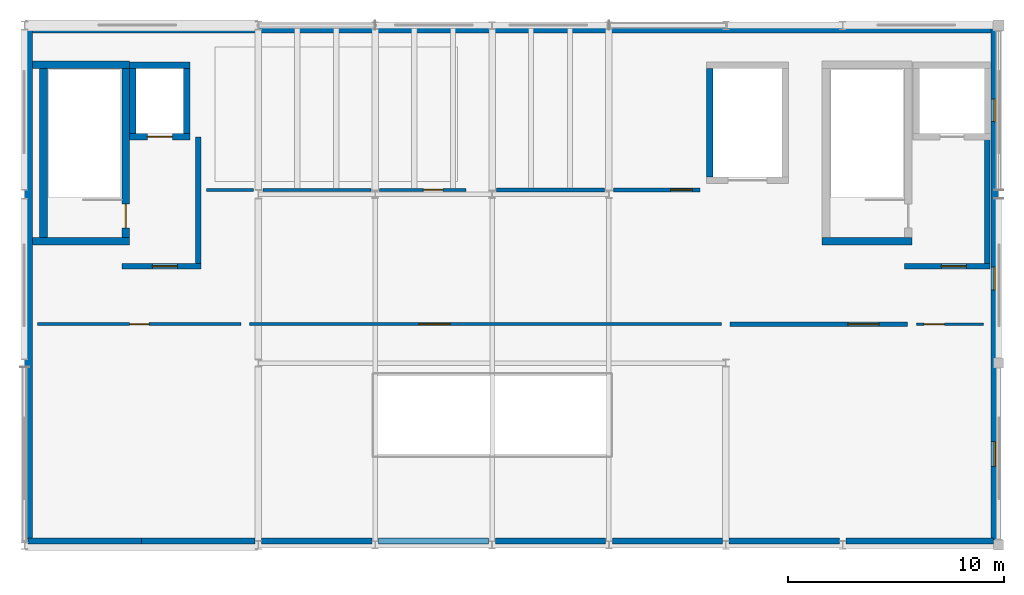
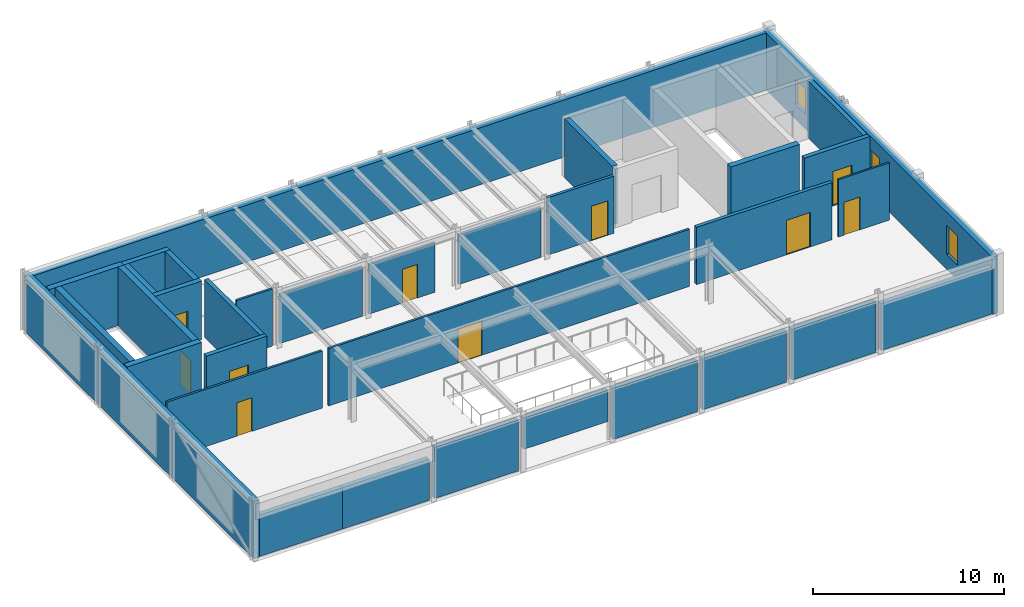
# One storey, part 6 of 8: 34 walls, 10 doors, 3 windows, 13 openings.
"""IFC4 building model written with IfcOpenShell, lengths in metres."""

from ifc_helpers import new_model, si_unit, direction, frame, frame_2d, origin, place, context, subcontext, project, spatial, rectangle, extrude, material, layer, layer_set, type_object, element, fill, save


model = new_model("IFC4")

# Units and contexts
model_context = context("Model", 3, precision=1e-05, world=origin(), true_north=direction((0.0, 1.0)))
body_context = subcontext(model_context, "Body", "Model", "MODEL_VIEW")
ifc_project = project(units=[si_unit("LENGTHUNIT", "METRE"), si_unit("AREAUNIT", "SQUARE_METRE"), si_unit("VOLUMEUNIT", "CUBIC_METRE"), si_unit("PLANEANGLEUNIT", "RADIAN"), si_unit("MASSUNIT", "GRAM", prefix="KILO")], contexts=[model_context])

# Site, building, storey
site_placement = place(None, origin())
site = spatial("IfcSite", under=ifc_project, at=site_placement, CompositionType="ELEMENT")
building_placement = place(site_placement, origin())
building = spatial("IfcBuilding", under=site, at=building_placement, Name="Tazoul Stagehouse", CompositionType="ELEMENT")
storey_placement = place(building_placement, frame((0.0, 0.0, 21.0)))
storey = spatial("IfcBuildingStorey", under=building, at=storey_placement, Name="L05", CompositionType="ELEMENT", Elevation=21.0)

# Wall
ifc_material_1 = material(Name="Ochre Fired Clay Facing Brick Masonry", Category="masonry")
ifc_layer_1 = layer(ifc_material_1, 0.360107421875, Name="Ochre Fired Clay Facing Brick Masonry")
ifc_layer_set_1 = layer_set([ifc_layer_1], Name="Ochre Fired Clay Facing Brick Masonry")
wall_type_1 = type_object("IfcWallType", Name="Acoustic Stagehouse Masonry-Concrete Cavity Wall 360", PredefinedType="SOLIDWALL", material=ifc_layer_set_1)
wall_1_placement = place(storey_placement, frame((57.780029296875, 87.800048828125, 0.0), z_axis=(0.0, 0.0, 1.0), x_axis=(0.0, 1.0, 0.0)))
element("IfcWall", 1, at=wall_1_placement, inside=storey, type_object=wall_type_1, Name="L05 Wall EW-360 (WALL-V2-W-L05-S1)", PredefinedType="SOLIDWALL", context=body_context, shape_type="SweptSolid", body=[
    extrude(rectangle(XDim=24.0, YDim=0.360107421875, at=frame_2d((12.0, 0.0))), origin(), (0.0, 0.0, 1.0), 3.64990234375),
])

# Wall, openings, windows
wall_2_placement = place(storey_placement, frame((102.419921875, 87.800048828125, 0.0), z_axis=(0.0, 0.0, 1.0), x_axis=(0.0, 1.0, 0.0)))
wall_2 = element("IfcWall", 2, at=wall_2_placement, inside=storey, type_object=wall_type_1, Name="L05 Wall EW-360 (WALL-V2-E-L05-S1)", PredefinedType="SOLIDWALL", context=body_context, shape_type="SweptSolid", body=[
    extrude(rectangle(XDim=24.0, YDim=0.360107421875, at=frame_2d((12.0, 0.0))), origin(), (0.0, 0.0, 1.0), 3.64990234375),
])
opening_1_placement = place(wall_2_placement, frame((3.6298828125, 0.0, 0.949951171875)))
opening_1 = element("IfcOpeningElement", 3, at=opening_1_placement, cuts=wall_2, Name="Opening WN-66", PredefinedType="OPENING", context=body_context, shape_type="SweptSolid", body=[
    extrude(rectangle(XDim=1.139892578125, YDim=1.85009765625, at=frame_2d((0.56982421875, 0.925048828125))), frame((0.0, 0.199951171875, 0.0), z_axis=(0.0, -1.0, 0.0), x_axis=(1.0, 0.0, 0.0)), (0.0, 0.0, 1.0), 0.400146484375),
])
opening_2_placement = place(wall_2_placement, frame((11.78759765625, 0.0, 0.949951171875)))
opening_2 = element("IfcOpeningElement", 4, at=opening_2_placement, cuts=wall_2, Name="Opening WN-63", PredefinedType="OPENING", context=body_context, shape_type="SweptSolid", body=[
    extrude(rectangle(XDim=1.050048828125, YDim=1.85009765625, at=frame_2d((0.52490234375, 0.925048828125))), frame((0.0, 0.199951171875, 0.0), z_axis=(0.0, -1.0, 0.0), x_axis=(1.0, 0.0, 0.0)), (0.0, 0.0, 1.0), 0.400146484375),
])
opening_3_placement = place(wall_2_placement, frame((19.550048828125, 0.0, 0.949951171875)))
opening_3 = element("IfcOpeningElement", 5, at=opening_3_placement, cuts=wall_2, Name="Opening WN-38", PredefinedType="OPENING", context=body_context, shape_type="SweptSolid", body=[
    extrude(rectangle(XDim=1.050048828125, YDim=1.60009765625, at=frame_2d((0.52490234375, 0.800048828125))), frame((0.0, 0.199951171875, 0.0), z_axis=(0.0, -1.0, 0.0), x_axis=(1.0, 0.0, 0.0)), (0.0, 0.0, 1.0), 0.400146484375),
])
ifc_material_2 = material(Name="Double Low-E Acoustic Laminated Glass", Category="glass")
window_type_1 = type_object("IfcWindowType", Name="Architectural Acoustic Facade Window 1050x1600", PartitioningType="SINGLE_PANEL", PredefinedType="WINDOW", material=ifc_material_2)
window_1_placement = place(opening_3_placement, origin())
window_1 = element("IfcWindow", 6, at=window_1_placement, inside=storey, type_object=window_type_1, Name="L05 Window WN-38 (WALL-V2-E-L05-S1-B3-W1)", OverallHeight=1.60009765625, OverallWidth=1.050048828125, PartitioningType="SINGLE_PANEL", PredefinedType="WINDOW", context=body_context, shape_type="SweptSolid", body=[
    extrude(rectangle(XDim=1.050048828125, YDim=1.60009765625, at=frame_2d((0.52490234375, 0.800048828125))), frame((0.0, 0.030029296875, 0.0), z_axis=(0.0, -1.0, 0.0), x_axis=(1.0, 0.0, 0.0)), (0.0, 0.0, 1.0), 0.06005859375),
])
fill(opening_3, window_1)
window_type_2 = type_object("IfcWindowType", Name="Architectural Acoustic Facade Window 1050x1850", PartitioningType="SINGLE_PANEL", PredefinedType="WINDOW", material=ifc_material_2)
window_2_placement = place(opening_2_placement, origin())
window_2 = element("IfcWindow", 7, at=window_2_placement, inside=storey, type_object=window_type_2, Name="L05 Window WN-63 (WALL-V2-E-L05-S1-B2-W1)", OverallHeight=1.85009765625, OverallWidth=1.050048828125, PartitioningType="SINGLE_PANEL", PredefinedType="WINDOW", context=body_context, shape_type="SweptSolid", body=[
    extrude(rectangle(XDim=1.050048828125, YDim=1.85009765625, at=frame_2d((0.52490234375, 0.925048828125))), frame((0.0, 0.030029296875, 0.0), z_axis=(0.0, -1.0, 0.0), x_axis=(1.0, 0.0, 0.0)), (0.0, 0.0, 1.0), 0.06005859375),
])
fill(opening_2, window_2)
window_type_3 = type_object("IfcWindowType", Name="Architectural Acoustic Facade Window 1140x1850", PartitioningType="SINGLE_PANEL", PredefinedType="WINDOW", material=ifc_material_2)
window_3_placement = place(opening_1_placement, origin())
window_3 = element("IfcWindow", 8, at=window_3_placement, inside=storey, type_object=window_type_3, Name="L05 Window WN-66 (WALL-V2-E-L05-S1-B1-W1)", OverallHeight=1.85009765625, OverallWidth=1.139892578125, PartitioningType="SINGLE_PANEL", PredefinedType="WINDOW", context=body_context, shape_type="SweptSolid", body=[
    extrude(rectangle(XDim=1.139892578125, YDim=1.85009765625, at=frame_2d((0.56982421875, 0.925048828125))), frame((0.0, 0.030029296875, 0.0), z_axis=(0.0, -1.0, 0.0), x_axis=(1.0, 0.0, 0.0)), (0.0, 0.0, 1.0), 0.06005859375),
])
fill(opening_1, window_3)

# Walls
wall_3_placement = place(storey_placement, frame((57.60009765625, 111.6201171875, 0.0), z_axis=(0.0, 0.0, 1.0), x_axis=(1.0, 0.0, 0.0)))
element("IfcWall", 9, at=wall_3_placement, inside=storey, type_object=wall_type_1, Name="L05 Wall EW-360 (WALL-V2-N-L05-S1)", PredefinedType="SOLIDWALL", context=body_context, shape_type="SweptSolid", body=[
    extrude(rectangle(XDim=45.0, YDim=0.360107421875, at=frame_2d((22.5, 0.0))), origin(), (0.0, 0.0, 1.0), 3.64990234375),
])
ifc_material_3 = material(Name="Concrete C40/50", Category="concrete")
ifc_layer_2 = layer(ifc_material_3, 0.35009765625, Name="Concrete C40/50")
ifc_layer_set_2 = layer_set([ifc_layer_2], Name="Concrete C40/50")
wall_type_2 = type_object("IfcWallType", Name="Core Shear Wall 350", PredefinedType="SOLIDWALL", material=ifc_layer_set_2)
wall_4_placement = place(storey_placement, frame((98.60009765625, 101.824951171875, 0.0), z_axis=(0.0, 0.0, 1.0), x_axis=(-1.0, 0.0, 0.0)))
element("IfcWall", 10, at=wall_4_placement, inside=storey, type_object=wall_type_2, Name="L05 Core Wall CW-350 (SHF-ST-01-south)", PredefinedType="SOLIDWALL", context=body_context, shape_type="SweptSolid", body=[
    extrude(rectangle(XDim=4.150146484375, YDim=0.35009765625, at=frame_2d((2.0751953125, 0.0))), origin(), (0.0, 0.0, 1.0), 3.75),
])
wall_5_placement = place(storey_placement, frame((62.449951171875, 101.824951171875, 0.0), z_axis=(0.0, 0.0, 1.0), x_axis=(-1.0, 0.0, 0.0)))
element("IfcWall", 11, at=wall_5_placement, inside=storey, type_object=wall_type_2, Name="L05 Core Wall CW-350 (SHF-ST-03-south)", PredefinedType="SOLIDWALL", context=body_context, shape_type="SweptSolid", body=[
    extrude(rectangle(XDim=4.489990234375, YDim=0.35009765625, at=frame_2d((2.2451171875, 0.0))), origin(), (0.0, 0.0, 1.0), 3.75),
])
wall_6_placement = place(storey_placement, frame((58.47509765625, 102.0, 0.0), z_axis=(0.0, 0.0, 1.0), x_axis=(0.0, 1.0, 0.0)))
element("IfcWall", 12, at=wall_6_placement, inside=storey, type_object=wall_type_2, Name="L05 Core Wall CW-350 (SHF-ST-03-west)", PredefinedType="SOLIDWALL", context=body_context, shape_type="SweptSolid", body=[
    extrude(rectangle(XDim=7.800048828125, YDim=0.35009765625, at=frame_2d((3.89990234375, 0.0))), origin(), (0.0, 0.0, 1.0), 3.75),
])
wall_7_placement = place(storey_placement, frame((57.9599609375, 109.97509765625, 0.0), z_axis=(0.0, 0.0, 1.0), x_axis=(1.0, 0.0, 0.0)))
element("IfcWall", 13, at=wall_7_placement, inside=storey, type_object=wall_type_2, Name="L05 Core Wall CW-350 (SHF-ST-03-north)", PredefinedType="SOLIDWALL", context=body_context, shape_type="SweptSolid", body=[
    extrude(rectangle(XDim=4.489990234375, YDim=0.35009765625, at=frame_2d((2.2451171875, 0.0))), origin(), (0.0, 0.0, 1.0), 3.75),
])

# Wall, opening, door
wall_8_placement = place(storey_placement, frame((62.27490234375, 109.800048828125, 0.0), z_axis=(0.0, 0.0, 1.0), x_axis=(0.0, -1.0, 0.0)))
wall_8 = element("IfcWall", 14, at=wall_8_placement, inside=storey, type_object=wall_type_2, Name="L05 Core Wall CW-350 (SHF-ST-03-east)", PredefinedType="SOLIDWALL", context=body_context, shape_type="SweptSolid", body=[
    extrude(rectangle(XDim=7.800048828125, YDim=0.35009765625, at=frame_2d((3.89990234375, 0.0))), origin(), (0.0, 0.0, 1.0), 3.75),
])
opening_4_placement = place(wall_8_placement, frame((6.25, 0.0, 0.0)))
opening_4 = element("IfcOpeningElement", 15, at=opening_4_placement, cuts=wall_8, Name="Opening FD-01", PredefinedType="OPENING", context=body_context, shape_type="SweptSolid", body=[
    extrude(rectangle(XDim=1.10009765625, YDim=2.14990234375, at=frame_2d((0.550048828125, 1.074951171875))), frame((0.0, 0.195068359375, 0.0), z_axis=(0.0, -1.0, 0.0), x_axis=(1.0, 0.0, 0.0)), (0.0, 0.0, 1.0), 0.39013671875),
])
ifc_material_4 = material(Name="Powder-Coated Galvanised Acoustic Steel", Category="steel")
door_type_1 = type_object("IfcDoorType", Name="Core Escape Stair Fire Door 1100x2150", OperationType="NOTDEFINED", PredefinedType="DOOR", material=ifc_material_4)
door_1_placement = place(opening_4_placement, origin())
door_1 = element("IfcDoor", 16, at=door_1_placement, inside=storey, type_object=door_type_1, Name="L05 Escape Stair Fire Door FD-01 (ST-03)", OperationType="SINGLE_SWING_RIGHT", OverallHeight=2.14990234375, OverallWidth=1.10009765625, PredefinedType="DOOR", context=body_context, shape_type="SweptSolid", body=[
    extrude(rectangle(XDim=1.10009765625, YDim=2.14990234375, at=frame_2d((0.550048828125, 1.074951171875))), frame((0.0, 0.02490234375, 0.0), z_axis=(0.0, -1.0, 0.0), x_axis=(1.0, 0.0, 0.0)), (0.0, 0.0, 1.0), 0.050048828125),
])
fill(opening_4, door_1)

ifc_material_5 = material(Name="Gypsum Acoustic Partition", Category="gypsum")
ifc_layer_3 = layer(ifc_material_5, 0.169921875, Name="Gypsum Acoustic Partition")
ifc_layer_set_3 = layer_set([ifc_layer_3], Name="Gypsum Acoustic Partition")
wall_type_3 = type_object("IfcWallType", Name="Corridor Fire-Rated Partition 170", PredefinedType="PARTITIONING", material=ifc_layer_set_3)
wall_9_placement = place(storey_placement, frame((88.800048828125, 104.199951171875, 0.0), z_axis=(0.0, 0.0, 1.0), x_axis=(-1.0, 0.0, 0.0)))
wall_9 = element("IfcWall", 17, at=wall_9_placement, inside=storey, type_object=wall_type_3, Name="L05 Partition PW-170 (PW-RM-L05-095-S-S1)", PredefinedType="PARTITIONING", context=body_context, shape_type="SweptSolid", body=[
    extrude(rectangle(XDim=4.0, YDim=0.169921875, at=frame_2d((2.0, 0.0))), origin(), (0.0, 0.0, 1.0), 3.659912109375),
])
opening_5_placement = place(wall_9_placement, frame((0.35009765625, 0.0, 0.0)))
opening_5 = element("IfcOpeningElement", 18, at=opening_5_placement, cuts=wall_9, Name="Opening ID-06", PredefinedType="OPENING", context=body_context, shape_type="SweptSolid", body=[
    extrude(rectangle(XDim=1.0, YDim=2.199951171875, at=frame_2d((0.5, 1.10009765625))), frame((0.0, 0.10498046875, 0.0), z_axis=(0.0, -1.0, 0.0), x_axis=(1.0, 0.0, 0.0)), (0.0, 0.0, 1.0), 0.2099609375),
])
ifc_material_6 = material(Name="Acoustic Cedar Timber", Category="wood")
door_type_2 = type_object("IfcDoorType", Name="Archive Rated Door 1000x2200", OperationType="NOTDEFINED", PredefinedType="DOOR", material=ifc_material_6)
door_2_placement = place(opening_5_placement, origin())
door_2 = element("IfcDoor", 19, at=door_2_placement, inside=storey, type_object=door_type_2, Name="L05 National Theatre Dramaturgy Archive Door", OperationType="SINGLE_SWING_LEFT", OverallHeight=2.199951171875, OverallWidth=1.0, PredefinedType="DOOR", context=body_context, shape_type="SweptSolid", body=[
    extrude(rectangle(XDim=1.0, YDim=2.199951171875, at=frame_2d((0.5, 1.10009765625))), frame((0.0, 0.02490234375, 0.0), z_axis=(0.0, -1.0, 0.0), x_axis=(1.0, 0.0, 0.0)), (0.0, 0.0, 1.0), 0.050048828125),
])
fill(opening_5, door_2)

# Wall
wall_10_placement = place(storey_placement, frame((84.39990234375, 104.199951171875, 0.0), z_axis=(0.0, 0.0, 1.0), x_axis=(-1.0, 0.0, 0.0)))
element("IfcWall", 20, at=wall_10_placement, inside=storey, type_object=wall_type_3, Name="L05 Partition PW-170 (PW-RM-L05-095-S-S2)", PredefinedType="PARTITIONING", context=body_context, shape_type="SweptSolid", body=[
    extrude(rectangle(XDim=5.0, YDim=0.169921875, at=frame_2d((2.5, 0.0))), origin(), (0.0, 0.0, 1.0), 3.179931640625),
])

# Wall, opening, door
ifc_layer_4 = layer(ifc_material_3, 0.260009765625, Name="Concrete C40/50")
ifc_layer_set_4 = layer_set([ifc_layer_4], Name="Concrete C40/50")
wall_type_4 = type_object("IfcWallType", Name="Firefighting Lobby Wall 260", PredefinedType="SOLIDWALL", material=ifc_layer_set_4)
wall_11_placement = place(storey_placement, frame((102.2099609375, 100.669921875, 0.0), z_axis=(0.0, 0.0, 1.0), x_axis=(-1.0, 0.0, 0.0)))
wall_11 = element("IfcWall", 21, at=wall_11_placement, inside=storey, type_object=wall_type_4, Name="L05 Firefighting Lobby Wall CW-260 (C1-S)", PredefinedType="SOLIDWALL", context=body_context, shape_type="SweptSolid", body=[
    extrude(rectangle(XDim=3.9599609375, YDim=0.260009765625, at=frame_2d((1.97998046875, 0.0))), origin(), (0.0, 0.0, 1.0), 3.659912109375),
])
opening_6_placement = place(wall_11_placement, frame((1.10009765625, 0.0, 0.0)))
opening_6 = element("IfcOpeningElement", 22, at=opening_6_placement, cuts=wall_11, Name="Opening FD-02", PredefinedType="OPENING", context=body_context, shape_type="SweptSolid", body=[
    extrude(rectangle(XDim=1.14990234375, YDim=2.199951171875, at=frame_2d((0.574951171875, 1.10009765625))), frame((0.0, 0.14990234375, 0.0), z_axis=(0.0, -1.0, 0.0), x_axis=(1.0, 0.0, 0.0)), (0.0, 0.0, 1.0), 0.300048828125),
])
door_type_3 = type_object("IfcDoorType", Name="Firefighting Lobby Fire Door 1150x2200", OperationType="NOTDEFINED", PredefinedType="DOOR", material=ifc_material_4)
door_3_placement = place(opening_6_placement, origin())
door_3 = element("IfcDoor", 23, at=door_3_placement, inside=storey, type_object=door_type_3, Name="L05 Firefighting Lobby Door FD-02 (C1)", OperationType="SINGLE_SWING_RIGHT", OverallHeight=2.199951171875, OverallWidth=1.14990234375, PredefinedType="DOOR", context=body_context, shape_type="SweptSolid", body=[
    extrude(rectangle(XDim=1.14990234375, YDim=2.199951171875, at=frame_2d((0.574951171875, 1.10009765625))), frame((0.0, 0.02490234375, 0.0), z_axis=(0.0, -1.0, 0.0), x_axis=(1.0, 0.0, 0.0)), (0.0, 0.0, 1.0), 0.050048828125),
])
fill(opening_6, door_3)

# Wall
wall_12_placement = place(storey_placement, frame((102.080078125, 106.64990234375, 0.0), z_axis=(0.0, 0.0, 1.0), x_axis=(0.0, -1.0, 0.0)))
element("IfcWall", 24, at=wall_12_placement, inside=storey, type_object=wall_type_4, Name="L05 Firefighting Lobby Wall CW-260 (C1-E)", PredefinedType="SOLIDWALL", context=body_context, shape_type="SweptSolid", body=[
    extrude(rectangle(XDim=5.849853515625, YDim=0.260009765625, at=frame_2d((2.9248046875, 0.0))), origin(), (0.0, 0.0, 1.0), 3.659912109375),
])

# Wall, opening, door
wall_13_placement = place(storey_placement, frame((65.760009765625, 100.669921875, 0.0), z_axis=(0.0, 0.0, 1.0), x_axis=(-1.0, 0.0, 0.0)))
wall_13 = element("IfcWall", 25, at=wall_13_placement, inside=storey, type_object=wall_type_4, Name="L05 Firefighting Lobby Wall CW-260 (C3-S)", PredefinedType="SOLIDWALL", context=body_context, shape_type="SweptSolid", body=[
    extrude(rectangle(XDim=3.659912109375, YDim=0.260009765625, at=frame_2d((1.830078125, 0.0))), origin(), (0.0, 0.0, 1.0), 3.659912109375),
])
opening_7_placement = place(wall_13_placement, frame((1.10009765625, 0.0, 0.0)))
opening_7 = element("IfcOpeningElement", 26, at=opening_7_placement, cuts=wall_13, Name="Opening FD-02", PredefinedType="OPENING", context=body_context, shape_type="SweptSolid", body=[
    extrude(rectangle(XDim=1.14990234375, YDim=2.199951171875, at=frame_2d((0.574951171875, 1.10009765625))), frame((0.0, 0.14990234375, 0.0), z_axis=(0.0, -1.0, 0.0), x_axis=(1.0, 0.0, 0.0)), (0.0, 0.0, 1.0), 0.300048828125),
])
door_4_placement = place(opening_7_placement, origin())
door_4 = element("IfcDoor", 27, at=door_4_placement, inside=storey, type_object=door_type_3, Name="L05 Firefighting Lobby Door FD-02 (C3)", OperationType="SINGLE_SWING_LEFT", OverallHeight=2.199951171875, OverallWidth=1.14990234375, PredefinedType="DOOR", context=body_context, shape_type="SweptSolid", body=[
    extrude(rectangle(XDim=1.14990234375, YDim=2.199951171875, at=frame_2d((0.574951171875, 1.10009765625))), frame((0.0, 0.02490234375, 0.0), z_axis=(0.0, -1.0, 0.0), x_axis=(1.0, 0.0, 0.0)), (0.0, 0.0, 1.0), 0.050048828125),
])
fill(opening_7, door_4)

# Walls
wall_14_placement = place(storey_placement, frame((65.6298828125, 106.64990234375, 0.0), z_axis=(0.0, 0.0, 1.0), x_axis=(0.0, -1.0, 0.0)))
element("IfcWall", 28, at=wall_14_placement, inside=storey, type_object=wall_type_4, Name="L05 Firefighting Lobby Wall CW-260 (C3-E)", PredefinedType="SOLIDWALL", context=body_context, shape_type="SweptSolid", body=[
    extrude(rectangle(XDim=5.849853515625, YDim=0.260009765625, at=frame_2d((2.9248046875, 0.0))), origin(), (0.0, 0.0, 1.0), 3.659912109375),
])
ifc_material_7 = material(Name="Precast concrete C40/50", Category="concrete")
ifc_layer_5 = layer(ifc_material_7, 0.280029296875, Name="Precast concrete C40/50")
ifc_layer_set_5 = layer_set([ifc_layer_5], Name="Precast concrete C40/50")
wall_type_5 = type_object("IfcWallType", Name="Insulated Precast Acoustic Cladding Wall 280", PredefinedType="SOLIDWALL", material=ifc_layer_set_5)
for number, where, z_axis, x_axis, name in (
    (29, (57.7548828125, 87.97998046875, 0.0), (0.0, 0.0, 1.0), (1.0, 0.0, 0.0), "L05 Wall EW-280 (WALL-V2-S-L05-B1-S1)"),
    (30, (63.0, 87.97998046875, 0.0), (0.0, 0.0, 1.0), (1.0, 0.0, 0.0), "L05 Wall EW-280 (WALL-V2-S-L05-B2-S1)"),
):
    element("IfcWall", number, at=place(storey_placement, frame(where, z_axis=z_axis, x_axis=x_axis)), inside=storey, type_object=wall_type_5, Name=name, PredefinedType="SOLIDWALL", context=body_context, shape_type="SweptSolid", body=[
        extrude(rectangle(XDim=5.2451171875, YDim=0.280029296875, at=frame_2d((2.62255859375, 0.0))), origin(), (0.0, 0.0, 1.0), 2.64306640625),
    ])
wall_15_placement = place(storey_placement, frame((68.554931640625, 87.97998046875, 0.0), z_axis=(0.0, 0.0, 1.0), x_axis=(1.0, 0.0, 0.0)))
element("IfcWall", 31, at=wall_15_placement, inside=storey, type_object=wall_type_5, Name="L05 Wall EW-280 (WALL-V2-S-L05-B3-S1)", PredefinedType="SOLIDWALL", context=body_context, shape_type="SweptSolid", body=[
    extrude(rectangle(XDim=5.090087890625, YDim=0.280029296875, at=frame_2d((2.544921875, 0.0))), origin(), (0.0, 0.0, 1.0), 3.2529296875),
])
wall_16_placement = place(storey_placement, frame((73.955078125, 87.97998046875, 1.259033203125), z_axis=(0.0, 0.0, 1.0), x_axis=(1.0, 0.0, 0.0)))
element("IfcWall", 32, at=wall_16_placement, inside=storey, type_object=wall_type_5, Name="L05 Wall EW-280 (WALL-V2-S-L05-B4-S1)", PredefinedType="SOLIDWALL", context=body_context, shape_type="SweptSolid", body=[
    extrude(rectangle(XDim=5.08984375, YDim=0.280029296875, at=frame_2d((2.544921875, 0.0))), origin(), (0.0, 0.0, 1.0), 1.993896484375),
])
for number, where, z_axis, x_axis, name in (
    (33, (79.35498046875, 87.97998046875, 0.0), (0.0, 0.0, 1.0), (1.0, 0.0, 0.0), "L05 Wall EW-280 (WALL-V2-S-L05-B5-S1)"),
    (34, (84.7548828125, 87.97998046875, 0.0), (0.0, 0.0, 1.0), (1.0, 0.0, 0.0), "L05 Wall EW-280 (WALL-V2-S-L05-B6-S1)"),
    (35, (90.155029296875, 87.97998046875, 0.0), (0.0, 0.0, 1.0), (1.0, 0.0, 0.0), "L05 Wall EW-280 (WALL-V2-S-L05-B7-S1)"),
):
    element("IfcWall", number, at=place(storey_placement, frame(where, z_axis=z_axis, x_axis=x_axis)), inside=storey, type_object=wall_type_5, Name=name, PredefinedType="SOLIDWALL", context=body_context, shape_type="SweptSolid", body=[
        extrude(rectangle(XDim=5.090087890625, YDim=0.280029296875, at=frame_2d((2.544921875, 0.0))), origin(), (0.0, 0.0, 1.0), 3.2529296875),
    ])
wall_17_placement = place(storey_placement, frame((95.554931640625, 87.97998046875, 0.0), z_axis=(0.0, 0.0, 1.0), x_axis=(1.0, 0.0, 0.0)))
element("IfcWall", 36, at=wall_17_placement, inside=storey, type_object=wall_type_5, Name="L05 Wall EW-280 (WALL-V2-S-L05-B8-S1)", PredefinedType="SOLIDWALL", context=body_context, shape_type="SweptSolid", body=[
    extrude(rectangle(XDim=6.815185546875, YDim=0.280029296875, at=frame_2d((3.40771484375, 0.0))), origin(), (0.0, 0.0, 1.0), 2.992919921875),
])

# Wall, opening, door
ifc_layer_6 = layer(ifc_material_3, 0.300048828125, Name="Concrete C40/50")
ifc_layer_set_6 = layer_set([ifc_layer_6], Name="Concrete C40/50")
wall_type_6 = type_object("IfcWallType", Name="Lift Shaft Wall 300", PredefinedType="SOLIDWALL", material=ifc_layer_set_6)
wall_18_placement = place(storey_placement, frame((65.25, 106.64990234375, 0.0), z_axis=(0.0, 0.0, 1.0), x_axis=(-1.0, 0.0, 0.0)))
wall_18 = element("IfcWall", 37, at=wall_18_placement, inside=storey, type_object=wall_type_6, Name="L05 Core Wall CW-300 (LSHF-FFL-02-south)", PredefinedType="SOLIDWALL", context=body_context, shape_type="SweptSolid", body=[
    extrude(rectangle(XDim=2.800048828125, YDim=0.300048828125, at=frame_2d((1.39990234375, 0.0))), origin(), (0.0, 0.0, 1.0), 3.75),
])
opening_8_placement = place(wall_18_placement, frame((0.824951171875, 0.0, 0.0)))
opening_8 = element("IfcOpeningElement", 38, at=opening_8_placement, cuts=wall_18, Name="Opening LD-02", PredefinedType="OPENING", context=body_context, shape_type="SweptSolid", body=[
    extrude(rectangle(XDim=1.14990234375, YDim=2.10009765625, at=frame_2d((0.574951171875, 1.050048828125))), frame((0.0, 0.169921875, 0.0), z_axis=(0.0, -1.0, 0.0), x_axis=(1.0, 0.0, 0.0)), (0.0, 0.0, 1.0), 0.340087890625),
])
door_type_4 = type_object("IfcDoorType", Name="Firefighter Lift Sliding Landing Door 1150x2100", OperationType="DOUBLE_DOOR_SLIDING", PredefinedType="DOOR", material=ifc_material_4)
door_5_placement = place(opening_8_placement, origin())
door_5 = element("IfcDoor", 39, at=door_5_placement, inside=storey, type_object=door_type_4, Name="L05 Lift Landing Sliding Door LD-02 (FFL-02)", OperationType="DOUBLE_DOOR_SLIDING", OverallHeight=2.10009765625, OverallWidth=1.14990234375, PredefinedType="DOOR", context=body_context, shape_type="SweptSolid", body=[
    extrude(rectangle(XDim=1.14990234375, YDim=2.10009765625, at=frame_2d((0.574951171875, 1.050048828125))), frame((0.0, 0.02490234375, 0.0), z_axis=(0.0, -1.0, 0.0), x_axis=(1.0, 0.0, 0.0)), (0.0, 0.0, 1.0), 0.050048828125),
])
fill(opening_8, door_5)

# Walls
wall_19_placement = place(storey_placement, frame((62.60009765625, 106.800048828125, 0.0), z_axis=(0.0, 0.0, 1.0), x_axis=(0.0, 1.0, 0.0)))
element("IfcWall", 40, at=wall_19_placement, inside=storey, type_object=wall_type_6, Name="L05 Core Wall CW-300 (LSHF-FFL-02-west)", PredefinedType="SOLIDWALL", context=body_context, shape_type="SweptSolid", body=[
    extrude(rectangle(XDim=3.0, YDim=0.300048828125, at=frame_2d((1.5, 0.0))), origin(), (0.0, 0.0, 1.0), 3.75),
])
wall_20_placement = place(storey_placement, frame((62.449951171875, 109.949951171875, 0.0), z_axis=(0.0, 0.0, 1.0), x_axis=(1.0, 0.0, 0.0)))
element("IfcWall", 41, at=wall_20_placement, inside=storey, type_object=wall_type_6, Name="L05 Core Wall CW-300 (LSHF-FFL-02-north)", PredefinedType="SOLIDWALL", context=body_context, shape_type="SweptSolid", body=[
    extrude(rectangle(XDim=2.800048828125, YDim=0.300048828125, at=frame_2d((1.39990234375, 0.0))), origin(), (0.0, 0.0, 1.0), 3.75),
])
wall_21_placement = place(storey_placement, frame((65.10009765625, 109.800048828125, 0.0), z_axis=(0.0, 0.0, 1.0), x_axis=(0.0, -1.0, 0.0)))
element("IfcWall", 42, at=wall_21_placement, inside=storey, type_object=wall_type_6, Name="L05 Core Wall CW-300 (LSHF-FFL-02-east)", PredefinedType="SOLIDWALL", context=body_context, shape_type="SweptSolid", body=[
    extrude(rectangle(XDim=3.0, YDim=0.300048828125, at=frame_2d((1.5, 0.0))), origin(), (0.0, 0.0, 1.0), 3.75),
])
wall_22_placement = place(storey_placement, frame((89.25, 104.800048828125, 0.0), z_axis=(0.0, 0.0, 1.0), x_axis=(0.0, 1.0, 0.0)))
element("IfcWall", 43, at=wall_22_placement, inside=storey, type_object=wall_type_6, Name="L05 Core Wall CW-300 (LSHF-GL-01-west)", PredefinedType="SOLIDWALL", context=body_context, shape_type="SweptSolid", body=[
    extrude(rectangle(XDim=5.0, YDim=0.300048828125, at=frame_2d((2.5, 0.0))), origin(), (0.0, 0.0, 1.0), 3.75),
])

# Wall, opening, door
ifc_layer_7 = layer(ifc_material_5, 0.1298828125, Name="Gypsum Acoustic Partition")
ifc_layer_set_7 = layer_set([ifc_layer_7], Name="Gypsum Acoustic Partition")
wall_type_7 = type_object("IfcWallType", Name="Office Drywall Partition 130", PredefinedType="PARTITIONING", material=ifc_layer_set_7)
wall_23_placement = place(storey_placement, frame((68.0, 98.0, 0.0), z_axis=(0.0, 0.0, 1.0), x_axis=(1.0, 0.0, 0.0)))
wall_23 = element("IfcWall", 44, at=wall_23_placement, inside=storey, type_object=wall_type_7, Name="L05 Partition PW-130 (PW-RM-L05-092-N)", PredefinedType="PARTITIONING", context=body_context, shape_type="SweptSolid", body=[
    extrude(rectangle(XDim=21.800048828125, YDim=0.1298828125, at=frame_2d((10.89990234375, 0.0))), origin(), (0.0, 0.0, 1.0), 3.659912109375),
])
opening_9_placement = place(wall_23_placement, frame((7.81201171875, 0.0, 0.0)))
opening_9 = element("IfcOpeningElement", 45, at=opening_9_placement, cuts=wall_23, Name="Opening ID-21", PredefinedType="OPENING", context=body_context, shape_type="SweptSolid", body=[
    extrude(rectangle(XDim=1.449951171875, YDim=2.199951171875, at=frame_2d((0.72509765625, 1.10009765625))), frame((0.0, 0.0849609375, 0.0), z_axis=(0.0, -1.0, 0.0), x_axis=(1.0, 0.0, 0.0)), (0.0, 0.0, 1.0), 0.169921875),
])
door_type_5 = type_object("IfcDoorType", Name="Press Conference Double Door 1450x2200", OperationType="DOUBLE_DOOR_SINGLE_SWING", PredefinedType="DOOR", material=ifc_material_6)
door_6_placement = place(opening_9_placement, origin())
door_6 = element("IfcDoor", 46, at=door_6_placement, inside=storey, type_object=door_type_5, Name="L05 Scenography and Stage Model Design Studio Door", OperationType="DOUBLE_DOOR_SINGLE_SWING", OverallHeight=2.199951171875, OverallWidth=1.449951171875, PredefinedType="DOOR", context=body_context, shape_type="SweptSolid", body=[
    extrude(rectangle(XDim=1.449951171875, YDim=2.199951171875, at=frame_2d((0.72509765625, 1.10009765625))), frame((0.0, 0.02490234375, 0.0), z_axis=(0.0, -1.0, 0.0), x_axis=(1.0, 0.0, 0.0)), (0.0, 0.0, 1.0), 0.050048828125),
])
fill(opening_9, door_6)

wall_24_placement = place(storey_placement, frame((58.199951171875, 98.0, 0.0), z_axis=(0.0, 0.0, 1.0), x_axis=(1.0, 0.0, 0.0)))
wall_24 = element("IfcWall", 47, at=wall_24_placement, inside=storey, type_object=wall_type_7, Name="L05 Partition PW-130 (PW-RM-L05-093-N)", PredefinedType="PARTITIONING", context=body_context, shape_type="SweptSolid", body=[
    extrude(rectangle(XDim=9.400146484375, YDim=0.1298828125, at=frame_2d((4.7001953125, 0.0))), origin(), (0.0, 0.0, 1.0), 3.659912109375),
])
opening_10_placement = place(wall_24_placement, frame((4.25, 0.0, 0.0)))
opening_10 = element("IfcOpeningElement", 48, at=opening_10_placement, cuts=wall_24, Name="Opening ID-05", PredefinedType="OPENING", context=body_context, shape_type="SweptSolid", body=[
    extrude(rectangle(XDim=0.89990234375, YDim=2.14990234375, at=frame_2d((0.449951171875, 1.074951171875))), frame((0.0, 0.0849609375, 0.0), z_axis=(0.0, -1.0, 0.0), x_axis=(1.0, 0.0, 0.0)), (0.0, 0.0, 1.0), 0.169921875),
])
door_type_6 = type_object("IfcDoorType", Name="Office Timber Acoustic Door 900x2150", OperationType="NOTDEFINED", PredefinedType="DOOR", material=ifc_material_6)
door_7_placement = place(opening_10_placement, origin())
door_7 = element("IfcDoor", 49, at=door_7_placement, inside=storey, type_object=door_type_6, Name="L05 Lighting Design and Dramaturgy Workshop Door", OperationType="SINGLE_SWING_LEFT", OverallHeight=2.14990234375, OverallWidth=0.89990234375, PredefinedType="DOOR", context=body_context, shape_type="SweptSolid", body=[
    extrude(rectangle(XDim=0.89990234375, YDim=2.14990234375, at=frame_2d((0.449951171875, 1.074951171875))), frame((0.0, 0.02490234375, 0.0), z_axis=(0.0, -1.0, 0.0), x_axis=(1.0, 0.0, 0.0)), (0.0, 0.0, 1.0), 0.050048828125),
])
fill(opening_10, door_7)

wall_25_placement = place(storey_placement, frame((78.0, 104.199951171875, 0.0), z_axis=(0.0, 0.0, 1.0), x_axis=(-1.0, 0.0, 0.0)))
wall_25 = element("IfcWall", 50, at=wall_25_placement, inside=storey, type_object=wall_type_7, Name="L05 Partition PW-130 (PW-RM-L05-094-S-S1)", PredefinedType="PARTITIONING", context=body_context, shape_type="SweptSolid", body=[
    extrude(rectangle(XDim=4.0, YDim=0.1298828125, at=frame_2d((2.0, 0.0))), origin(), (0.0, 0.0, 1.0), 3.179931640625),
])
opening_11_placement = place(wall_25_placement, frame((1.070068359375, 0.0, 0.0)))
opening_11 = element("IfcOpeningElement", 51, at=opening_11_placement, cuts=wall_25, Name="Opening ID-05", PredefinedType="OPENING", context=body_context, shape_type="SweptSolid", body=[
    extrude(rectangle(XDim=0.89990234375, YDim=2.14990234375, at=frame_2d((0.449951171875, 1.074951171875))), frame((0.0, 0.0849609375, 0.0), z_axis=(0.0, -1.0, 0.0), x_axis=(1.0, 0.0, 0.0)), (0.0, 0.0, 1.0), 0.169921875),
])
door_8_placement = place(opening_11_placement, origin())
door_8 = element("IfcDoor", 52, at=door_8_placement, inside=storey, type_object=door_type_6, Name="L05 Artistic Direction and Intendant Suite Door", OperationType="SINGLE_SWING_RIGHT", OverallHeight=2.14990234375, OverallWidth=0.89990234375, PredefinedType="DOOR", context=body_context, shape_type="SweptSolid", body=[
    extrude(rectangle(XDim=0.89990234375, YDim=2.14990234375, at=frame_2d((0.449951171875, 1.074951171875))), frame((0.0, 0.02490234375, 0.0), z_axis=(0.0, -1.0, 0.0), x_axis=(1.0, 0.0, 0.0)), (0.0, 0.0, 1.0), 0.050048828125),
])
fill(opening_11, door_8)

# Walls
wall_26_placement = place(storey_placement, frame((73.60009765625, 104.199951171875, 0.0), z_axis=(0.0, 0.0, 1.0), x_axis=(-1.0, 0.0, 0.0)))
element("IfcWall", 53, at=wall_26_placement, inside=storey, type_object=wall_type_7, Name="L05 Partition PW-130 (PW-RM-L05-094-S-S2)", PredefinedType="PARTITIONING", context=body_context, shape_type="SweptSolid", body=[
    extrude(rectangle(XDim=4.97998046875, YDim=0.1298828125, at=frame_2d((2.489990234375, 0.0))), origin(), (0.0, 0.0, 1.0), 3.179931640625),
])
wall_27_placement = place(storey_placement, frame((68.179931640625, 104.199951171875, 0.0), z_axis=(0.0, 0.0, 1.0), x_axis=(-1.0, 0.0, 0.0)))
element("IfcWall", 54, at=wall_27_placement, inside=storey, type_object=wall_type_7, Name="L05 Partition PW-130 (PW-RM-L05-094-S-S3)", PredefinedType="PARTITIONING", context=body_context, shape_type="SweptSolid", body=[
    extrude(rectangle(XDim=2.179931640625, YDim=0.1298828125, at=frame_2d((1.08984375, 0.0))), origin(), (0.0, 0.0, 1.0), 3.659912109375),
])

# Wall, opening, door
ifc_layer_8 = layer(ifc_material_5, 0.2099609375, Name="Gypsum Acoustic Partition")
ifc_layer_set_8 = layer_set([ifc_layer_8], Name="Gypsum Acoustic Partition")
wall_type_8 = type_object("IfcWallType", Name="Rehearsal Room Acoustic Partition 210", PredefinedType="PARTITIONING", material=ifc_layer_set_8)
wall_28_placement = place(storey_placement, frame((90.199951171875, 98.0, 0.0), z_axis=(0.0, 0.0, 1.0), x_axis=(1.0, 0.0, 0.0)))
wall_28 = element("IfcWall", 55, at=wall_28_placement, inside=storey, type_object=wall_type_8, Name="L05 Partition PW-210 (PW-RM-L05-096-N)", PredefinedType="PARTITIONING", context=body_context, shape_type="SweptSolid", body=[
    extrude(rectangle(XDim=8.199951171875, YDim=0.2099609375, at=frame_2d((4.10009765625, 0.0))), origin(), (0.0, 0.0, 1.0), 3.659912109375),
])
opening_12_placement = place(wall_28_placement, frame((5.431884765625, 0.0, 0.0)))
opening_12 = element("IfcOpeningElement", 56, at=opening_12_placement, cuts=wall_28, Name="Opening ID-21", PredefinedType="OPENING", context=body_context, shape_type="SweptSolid", body=[
    extrude(rectangle(XDim=1.449951171875, YDim=2.199951171875, at=frame_2d((0.72509765625, 1.10009765625))), frame((0.0, 0.125, 0.0), z_axis=(0.0, -1.0, 0.0), x_axis=(1.0, 0.0, 0.0)), (0.0, 0.0, 1.0), 0.25),
])
door_9_placement = place(opening_12_placement, origin())
door_9 = element("IfcDoor", 57, at=door_9_placement, inside=storey, type_object=door_type_5, Name="L05 Press Conference and Symposium Salon Door", OperationType="DOUBLE_DOOR_SINGLE_SWING", OverallHeight=2.199951171875, OverallWidth=1.449951171875, PredefinedType="DOOR", context=body_context, shape_type="SweptSolid", body=[
    extrude(rectangle(XDim=1.449951171875, YDim=2.199951171875, at=frame_2d((0.72509765625, 1.10009765625))), frame((0.0, 0.02490234375, 0.0), z_axis=(0.0, -1.0, 0.0), x_axis=(1.0, 0.0, 0.0)), (0.0, 0.0, 1.0), 0.050048828125),
])
fill(opening_12, door_9)

ifc_layer_9 = layer(ifc_material_5, 0.110107421875, Name="Gypsum Acoustic Partition")
ifc_layer_set_9 = layer_set([ifc_layer_9], Name="Gypsum Acoustic Partition")
wall_type_9 = type_object("IfcWallType", Name="Wet-Area Tile Backing Partition 110", PredefinedType="PARTITIONING", material=ifc_layer_set_9)
wall_29_placement = place(storey_placement, frame((98.800048828125, 98.0, 0.0), z_axis=(0.0, 0.0, 1.0), x_axis=(1.0, 0.0, 0.0)))
wall_29 = element("IfcWall", 58, at=wall_29_placement, inside=storey, type_object=wall_type_9, Name="L05 Partition PW-110 (PW-RM-L05-097-N)", PredefinedType="PARTITIONING", context=body_context, shape_type="SweptSolid", body=[
    extrude(rectangle(XDim=3.099853515625, YDim=0.110107421875, at=frame_2d((1.5498046875, 0.0))), origin(), (0.0, 0.0, 1.0), 3.659912109375),
])
opening_13_placement = place(wall_29_placement, frame((0.35009765625, 0.0, 0.0)))
opening_13 = element("IfcOpeningElement", 59, at=opening_13_placement, cuts=wall_29, Name="Opening ID-02", PredefinedType="OPENING", context=body_context, shape_type="SweptSolid", body=[
    extrude(rectangle(XDim=0.949951171875, YDim=2.10009765625, at=frame_2d((0.47509765625, 1.050048828125))), frame((0.0, 0.074951171875, 0.0), z_axis=(0.0, -1.0, 0.0), x_axis=(1.0, 0.0, 0.0)), (0.0, 0.0, 1.0), 0.150146484375),
])
door_type_7 = type_object("IfcDoorType", Name="Accessible WC Door 950x2100", OperationType="NOTDEFINED", PredefinedType="DOOR", material=ifc_material_6)
door_10_placement = place(opening_13_placement, origin())
door_10 = element("IfcDoor", 60, at=door_10_placement, inside=storey, type_object=door_type_7, Name="L05 L05 Gridiron Staff Accessible WC Door", OperationType="SINGLE_SWING_RIGHT", OverallHeight=2.10009765625, OverallWidth=0.949951171875, PredefinedType="DOOR", context=body_context, shape_type="SweptSolid", body=[
    extrude(rectangle(XDim=0.949951171875, YDim=2.10009765625, at=frame_2d((0.47509765625, 1.050048828125))), frame((0.0, 0.02490234375, 0.0), z_axis=(0.0, -1.0, 0.0), x_axis=(1.0, 0.0, 0.0)), (0.0, 0.0, 1.0), 0.050048828125),
])
fill(opening_13, door_10)

save(model, "model.ifc")
